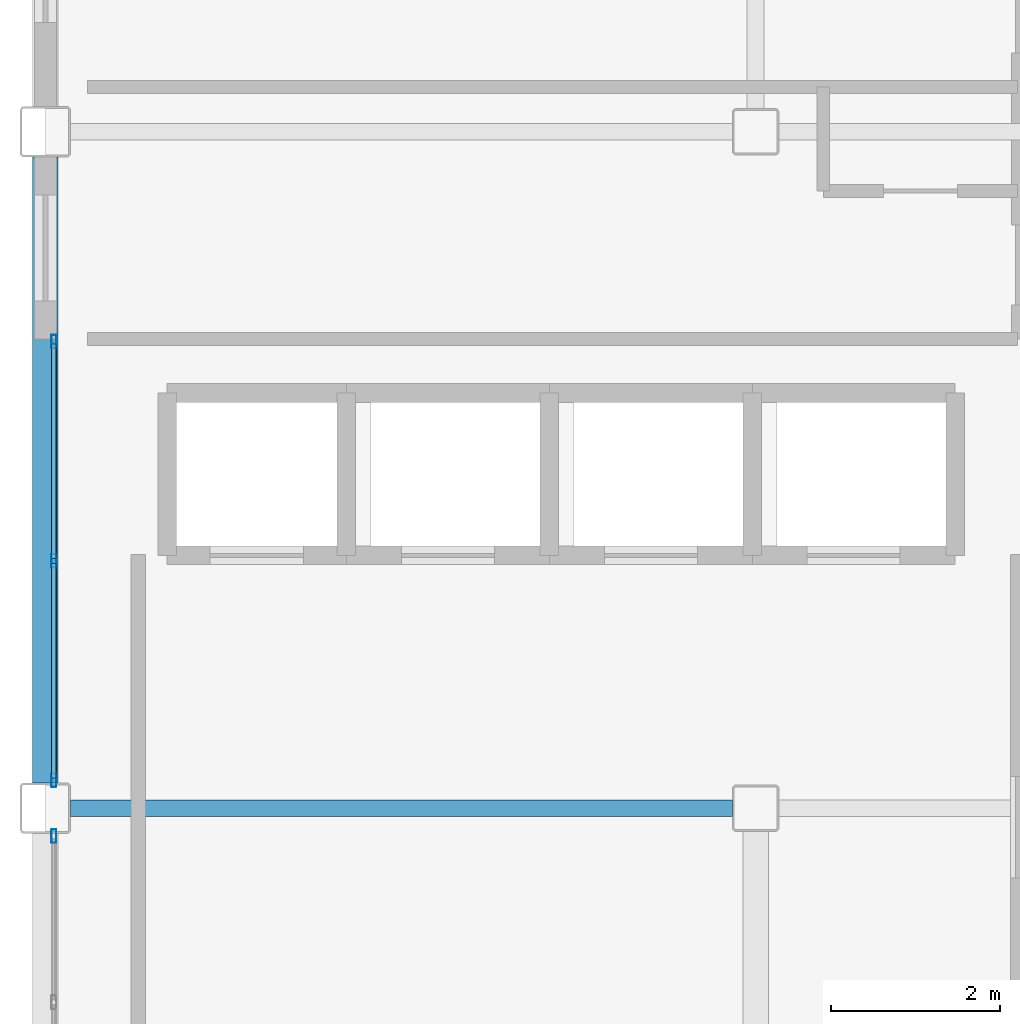
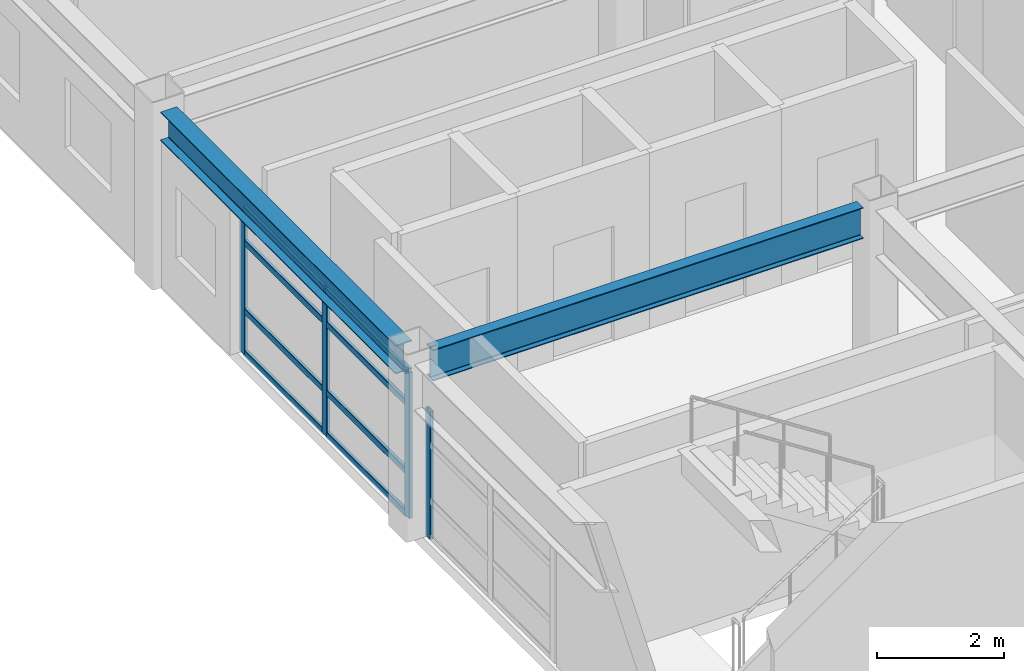
# One storey, part 16 of 36: 12 members, 2 beams, 2 elements without a shape of their own.
"""IFC4 building model written with IfcOpenShell, lengths in metres."""

from ifc_helpers import new_model, si_unit, direction, frame, origin, origin_2d, place, context, subcontext, project, spatial, hollow_rectangle, i_section, extrude, material, layer, layer_set, material_profile, profile_set, type_object, element, aggregate, save


model = new_model("IFC4")

# Units and contexts
model_context = context("Model", 3, precision=1e-05, world=origin(), true_north=direction((0.0, 1.0)))
body_context = subcontext(model_context, "Body", "Model", "MODEL_VIEW")
ifc_project = project(units=[si_unit("LENGTHUNIT", "METRE"), si_unit("AREAUNIT", "SQUARE_METRE"), si_unit("VOLUMEUNIT", "CUBIC_METRE"), si_unit("PLANEANGLEUNIT", "RADIAN"), si_unit("MASSUNIT", "GRAM", prefix="KILO")], contexts=[model_context])

# Site, building, storey
site_placement = place(None, origin())
site = spatial("IfcSite", under=ifc_project, at=site_placement, CompositionType="ELEMENT")
building_placement = place(site_placement, origin())
building = spatial("IfcBuilding", under=site, at=building_placement, Name="Kazehara Bluff Congress Hotel", CompositionType="ELEMENT")
storey_placement = place(building_placement, frame((0.0, 0.0, 31.800048828125)))
storey = spatial("IfcBuildingStorey", under=building, at=storey_placement, Name="L07", CompositionType="ELEMENT", Elevation=31.800048828125)

# Curtain wall, member
ifc_material_1 = material(Name="Anodised aluminium", Category="aluminium")
ifc_layer_1 = layer(ifc_material_1, 0.159912109375)
ifc_layer_set_1 = layer_set([ifc_layer_1], Name="Anodised aluminium")
curtain_wall_type_1 = type_object("IfcCurtainWallType", Name="TP-CW-178", PredefinedType="NOTDEFINED", material=ifc_layer_set_1)
curtain_wall_1_placement = place(storey_placement, origin())
curtain_wall_1 = element("IfcCurtainWall", 1, at=curtain_wall_1_placement, inside=storey, type_object=curtain_wall_type_1, Name="L07 curtain wall CW-178 CW-ENC-V5-L07-14380-5416", PredefinedType="NOTDEFINED")
ifc_material_2 = material(Name="Anodised aluminium", Category="aluminium")
ifc_material_profile_1 = material_profile(ifc_material_2, hollow_rectangle(XDim=0.06005859375, YDim=0.159912109375, WallThickness=0.00390625, InnerFilletRadius=0.00390625, OuterFilletRadius=0.008056640625, at=origin_2d()))
ifc_profile_set_1 = profile_set([ifc_material_profile_1], Name="Anodised aluminium")
member_type_1 = type_object("IfcMemberType", Name="TP-CWM-01", PredefinedType="MULLION", material=ifc_profile_set_1)
member_1_placement = place(storey_placement, frame((143.800048828125, 56.1201171875, 0.0), z_axis=(0.0, 0.0, 1.0), x_axis=(-1.0, 0.0, 0.0)))
member_1 = element("IfcMember", 2, at=member_1_placement, type_object=member_type_1, Name="CW-178 mullion 3", PredefinedType="MULLION", context=body_context, shape_type="SweptSolid", body=[
    extrude(hollow_rectangle(XDim=0.06005859375, YDim=0.159912109375, WallThickness=0.00390625, InnerFilletRadius=0.00390625, OuterFilletRadius=0.008056640625, at=origin_2d()), origin(), (0.0, 0.0, 1.0), 2.454833984375),
])
aggregate(curtain_wall_1, [member_1])

# Curtain wall, members
ifc_material_3 = material(Name="Anodised aluminium", Category="aluminium")
ifc_layer_2 = layer(ifc_material_3, 0.159912109375)
ifc_layer_set_2 = layer_set([ifc_layer_2], Name="Anodised aluminium")
curtain_wall_type_2 = type_object("IfcCurtainWallType", Name="TP-CW-179", PredefinedType="NOTDEFINED", material=ifc_layer_set_2)
curtain_wall_2_placement = place(storey_placement, origin())
curtain_wall_2 = element("IfcCurtainWall", 3, at=curtain_wall_2_placement, inside=storey, type_object=curtain_wall_type_2, Name="L07 curtain wall CW-179 CW-ENC-V5-L07-14380-5938", PredefinedType="NOTDEFINED")
member_2_placement = place(storey_placement, frame((143.800048828125, 56.780029296875, 0.0), z_axis=(0.0, 0.0, 1.0), x_axis=(-1.0, 0.0, 0.0)))
member_2 = element("IfcMember", 4, at=member_2_placement, type_object=member_type_1, Name="CW-179 mullion 1", PredefinedType="MULLION", context=body_context, shape_type="SweptSolid", body=[
    extrude(hollow_rectangle(XDim=0.06005859375, YDim=0.159912109375, WallThickness=0.00390625, InnerFilletRadius=0.00390625, OuterFilletRadius=0.008056640625, at=origin_2d()), origin(), (0.0, 0.0, 1.0), 2.804931640625),
])
member_3_placement = place(storey_placement, frame((143.800048828125, 59.375, 0.0), z_axis=(0.0, 0.0, 1.0), x_axis=(-1.0, 0.0, 0.0)))
member_3 = element("IfcMember", 5, at=member_3_placement, type_object=member_type_1, Name="CW-179 mullion 2", PredefinedType="MULLION", context=body_context, shape_type="SweptSolid", body=[
    extrude(hollow_rectangle(XDim=0.06005859375, YDim=0.159912109375, WallThickness=0.00390625, InnerFilletRadius=0.00390625, OuterFilletRadius=0.008056640625, at=origin_2d()), origin(), (0.0, 0.0, 1.0), 2.804931640625),
])
member_4_placement = place(storey_placement, frame((143.800048828125, 61.969970703125, 0.0), z_axis=(0.0, 0.0, 1.0), x_axis=(-1.0, 0.0, 0.0)))
member_4 = element("IfcMember", 6, at=member_4_placement, type_object=member_type_1, Name="CW-179 mullion 3", PredefinedType="MULLION", context=body_context, shape_type="SweptSolid", body=[
    extrude(hollow_rectangle(XDim=0.06005859375, YDim=0.159912109375, WallThickness=0.00390625, InnerFilletRadius=0.00390625, OuterFilletRadius=0.008056640625, at=origin_2d()), origin(), (0.0, 0.0, 1.0), 2.804931640625),
])
ifc_material_4 = material(Name="Anodised aluminium", Category="aluminium")
ifc_material_profile_2 = material_profile(ifc_material_4, hollow_rectangle(XDim=0.06005859375, YDim=0.1201171875, WallThickness=0.00390625, InnerFilletRadius=0.00390625, OuterFilletRadius=0.008056640625, at=origin_2d()))
ifc_profile_set_2 = profile_set([ifc_material_profile_2], Name="Anodised aluminium")
member_type_2 = type_object("IfcMemberType", Name="TP-CWT-01", PredefinedType="USERDEFINED", material=ifc_profile_set_2)
member_5_placement = place(storey_placement, frame((143.800048828125, 56.81005859375, 0.030029296875), z_axis=(0.0, 1.0, 0.0), x_axis=(-1.0, 0.0, 0.0)))
member_5 = element("IfcMember", 7, at=member_5_placement, type_object=member_type_2, Name="CW-179 transom 1.1", ObjectType="TRANSOM", PredefinedType="USERDEFINED", context=body_context, shape_type="SweptSolid", body=[
    extrude(hollow_rectangle(XDim=0.06005859375, YDim=0.1201171875, WallThickness=0.00390625, InnerFilletRadius=0.00390625, OuterFilletRadius=0.008056640625, at=origin_2d()), origin(), (0.0, 0.0, 1.0), 2.534912109375),
])
member_6_placement = place(storey_placement, frame((143.800048828125, 56.81005859375, 0.83984375), z_axis=(0.0, 1.0, 0.0), x_axis=(-1.0, 0.0, 0.0)))
member_6 = element("IfcMember", 8, at=member_6_placement, type_object=member_type_2, Name="CW-179 transom 1.2", ObjectType="TRANSOM", PredefinedType="USERDEFINED", context=body_context, shape_type="SweptSolid", body=[
    extrude(hollow_rectangle(XDim=0.06005859375, YDim=0.1201171875, WallThickness=0.00390625, InnerFilletRadius=0.00390625, OuterFilletRadius=0.008056640625, at=origin_2d()), origin(), (0.0, 0.0, 1.0), 2.534912109375),
])
member_7_placement = place(storey_placement, frame((143.800048828125, 56.81005859375, 2.155029296875), z_axis=(0.0, 1.0, 0.0), x_axis=(-1.0, 0.0, 0.0)))
member_7 = element("IfcMember", 9, at=member_7_placement, type_object=member_type_2, Name="CW-179 transom 1.3", ObjectType="TRANSOM", PredefinedType="USERDEFINED", context=body_context, shape_type="SweptSolid", body=[
    extrude(hollow_rectangle(XDim=0.06005859375, YDim=0.1201171875, WallThickness=0.00390625, InnerFilletRadius=0.00390625, OuterFilletRadius=0.008056640625, at=origin_2d()), origin(), (0.0, 0.0, 1.0), 2.534912109375),
])
member_8_placement = place(storey_placement, frame((143.800048828125, 56.81005859375, 2.77490234375), z_axis=(0.0, 1.0, 0.0), x_axis=(-1.0, 0.0, 0.0)))
member_8 = element("IfcMember", 10, at=member_8_placement, type_object=member_type_2, Name="CW-179 transom 1.4", ObjectType="TRANSOM", PredefinedType="USERDEFINED", context=body_context, shape_type="SweptSolid", body=[
    extrude(hollow_rectangle(XDim=0.06005859375, YDim=0.1201171875, WallThickness=0.00390625, InnerFilletRadius=0.00390625, OuterFilletRadius=0.008056640625, at=origin_2d()), origin(), (0.0, 0.0, 1.0), 2.534912109375),
])
member_9_placement = place(storey_placement, frame((143.800048828125, 59.405029296875, 0.030029296875), z_axis=(0.0, 1.0, 0.0), x_axis=(-1.0, 0.0, 0.0)))
member_9 = element("IfcMember", 11, at=member_9_placement, type_object=member_type_2, Name="CW-179 transom 2.1", ObjectType="TRANSOM", PredefinedType="USERDEFINED", context=body_context, shape_type="SweptSolid", body=[
    extrude(hollow_rectangle(XDim=0.06005859375, YDim=0.1201171875, WallThickness=0.00390625, InnerFilletRadius=0.00390625, OuterFilletRadius=0.008056640625, at=origin_2d()), origin(), (0.0, 0.0, 1.0), 2.534912109375),
])
member_10_placement = place(storey_placement, frame((143.800048828125, 59.405029296875, 0.83984375), z_axis=(0.0, 1.0, 0.0), x_axis=(-1.0, 0.0, 0.0)))
member_10 = element("IfcMember", 12, at=member_10_placement, type_object=member_type_2, Name="CW-179 transom 2.2", ObjectType="TRANSOM", PredefinedType="USERDEFINED", context=body_context, shape_type="SweptSolid", body=[
    extrude(hollow_rectangle(XDim=0.06005859375, YDim=0.1201171875, WallThickness=0.00390625, InnerFilletRadius=0.00390625, OuterFilletRadius=0.008056640625, at=origin_2d()), origin(), (0.0, 0.0, 1.0), 2.534912109375),
])
member_11_placement = place(storey_placement, frame((143.800048828125, 59.405029296875, 2.155029296875), z_axis=(0.0, 1.0, 0.0), x_axis=(-1.0, 0.0, 0.0)))
member_11 = element("IfcMember", 13, at=member_11_placement, type_object=member_type_2, Name="CW-179 transom 2.3", ObjectType="TRANSOM", PredefinedType="USERDEFINED", context=body_context, shape_type="SweptSolid", body=[
    extrude(hollow_rectangle(XDim=0.06005859375, YDim=0.1201171875, WallThickness=0.00390625, InnerFilletRadius=0.00390625, OuterFilletRadius=0.008056640625, at=origin_2d()), origin(), (0.0, 0.0, 1.0), 2.534912109375),
])
member_12_placement = place(storey_placement, frame((143.800048828125, 59.405029296875, 2.77490234375), z_axis=(0.0, 1.0, 0.0), x_axis=(-1.0, 0.0, 0.0)))
member_12 = element("IfcMember", 14, at=member_12_placement, type_object=member_type_2, Name="CW-179 transom 2.4", ObjectType="TRANSOM", PredefinedType="USERDEFINED", context=body_context, shape_type="SweptSolid", body=[
    extrude(hollow_rectangle(XDim=0.06005859375, YDim=0.1201171875, WallThickness=0.00390625, InnerFilletRadius=0.00390625, OuterFilletRadius=0.008056640625, at=origin_2d()), origin(), (0.0, 0.0, 1.0), 2.534912109375),
])
aggregate(curtain_wall_2, [member_2, member_3, member_4, member_5, member_6, member_7, member_8, member_9, member_10, member_11, member_12])

# Beams
ifc_material_5 = material(Name="Steel SN490B", Category="steel")
ifc_material_profile_3 = material_profile(ifc_material_5, i_section(OverallWidth=0.199951171875, OverallDepth=0.60009765625, WebThickness=0.010986328125, FlangeThickness=0.01708984375, FilletRadius=0.012939453125, at=origin_2d()))
ifc_profile_set_3 = profile_set([ifc_material_profile_3], Name="Steel SN490B")
beam_type_1 = type_object("IfcBeamType", Name="TP-G-02", PredefinedType="BEAM", material=ifc_profile_set_3)
beam_1_placement = place(storey_placement, frame((144.0, 56.449951171875, 3.079833984375), z_axis=(1.0, 0.0, 0.0), x_axis=(0.0, 1.0, 0.0)))
element("IfcBeam", 15, at=beam_1_placement, inside=storey, type_object=beam_type_1, Name="L07 girder G-02 52", PredefinedType="BEAM", context=body_context, shape_type="SweptSolid", body=[
    extrude(i_section(OverallWidth=0.199951171875, OverallDepth=0.60009765625, WebThickness=0.010986328125, FlangeThickness=0.01708984375, FilletRadius=0.012939453125, at=origin_2d()), origin(), (0.0, 0.0, 1.0), 7.824951171875),
])
ifc_material_6 = material(Name="Steel SN490B", Category="steel")
ifc_material_profile_4 = material_profile(ifc_material_6, i_section(OverallWidth=0.300048828125, OverallDepth=0.550048828125, WebThickness=0.010986328125, FlangeThickness=0.01806640625, FilletRadius=0.012939453125, at=origin_2d()))
ifc_profile_set_4 = profile_set([ifc_material_profile_4], Name="Steel SN490B")
beam_type_2 = type_object("IfcBeamType", Name="TP-SP-01", PredefinedType="SPANDREL", material=ifc_profile_set_4)
beam_2_placement = place(storey_placement, frame((143.699951171875, 56.75, 3.10498046875), z_axis=(0.0, 1.0, 0.0), x_axis=(-1.0, 0.0, 0.0)))
element("IfcBeam", 16, at=beam_2_placement, inside=storey, type_object=beam_type_2, Name="L07 girder SP-01 6", PredefinedType="SPANDREL", context=body_context, shape_type="SweptSolid", body=[
    extrude(i_section(OverallWidth=0.300048828125, OverallDepth=0.550048828125, WebThickness=0.010986328125, FlangeThickness=0.01806640625, FilletRadius=0.012939453125, at=origin_2d()), origin(), (0.0, 0.0, 1.0), 7.39990234375),
])

save(model, "model.ifc")
